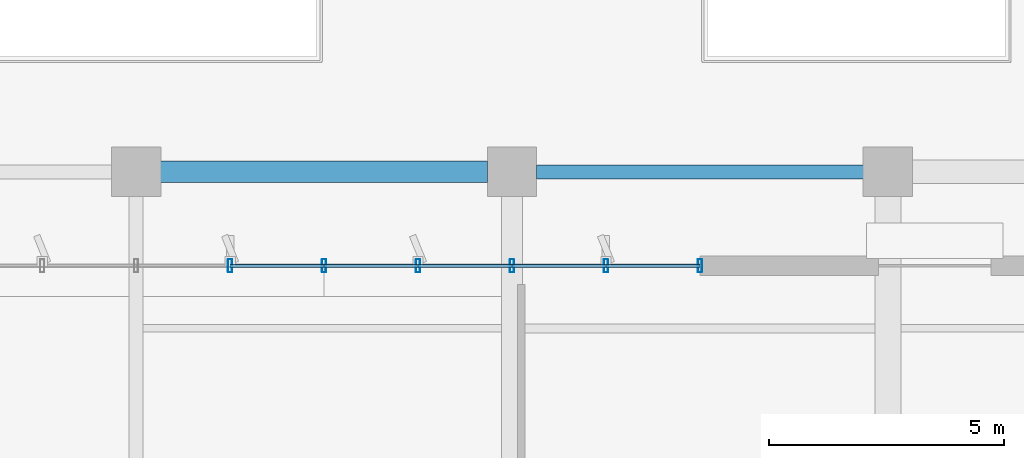
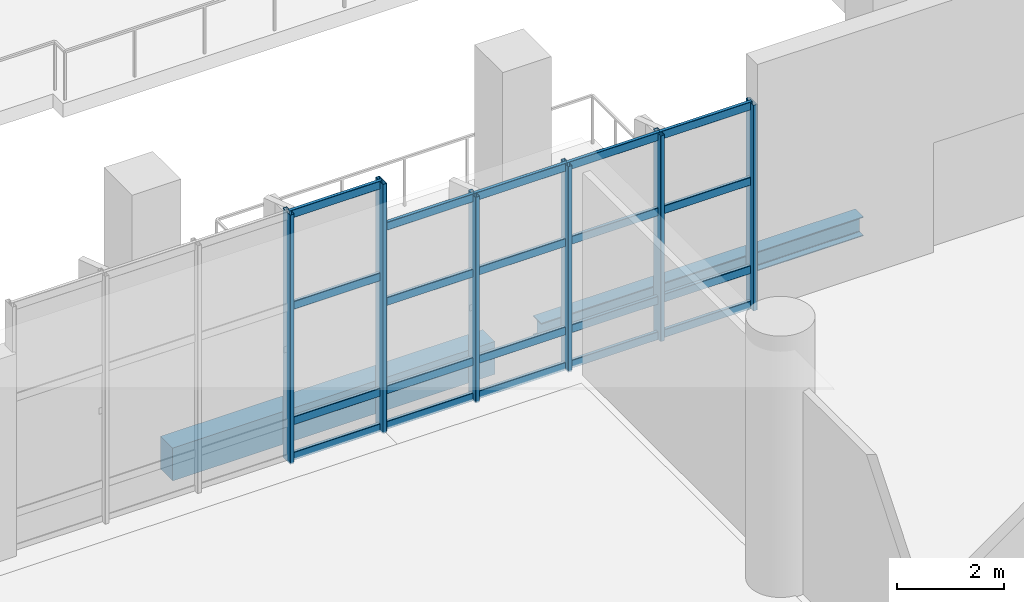
# One storey, part 72 of 163: 26 members, 2 beams, 2 elements without a shape of their own.
"""IFC4 building model written with IfcOpenShell, lengths in metres."""

from ifc_helpers import new_model, si_unit, direction, frame, origin, origin_2d, place, context, subcontext, project, spatial, rectangle, hollow_rectangle, i_section, extrude, material, layer, layer_set, material_profile, profile_set, type_object, element, aggregate, save


model = new_model("IFC4")

# Units and contexts
model_context = context("Model", 3, precision=1e-05, world=origin(), true_north=direction((0.0, 1.0)))
body_context = subcontext(model_context, "Body", "Model", "MODEL_VIEW")
ifc_project = project(units=[si_unit("LENGTHUNIT", "METRE"), si_unit("AREAUNIT", "SQUARE_METRE"), si_unit("VOLUMEUNIT", "CUBIC_METRE"), si_unit("PLANEANGLEUNIT", "RADIAN"), si_unit("MASSUNIT", "GRAM", prefix="KILO")], contexts=[model_context])

# Site, building, storey
site_placement = place(None, origin())
site = spatial("IfcSite", under=ifc_project, at=site_placement, CompositionType="ELEMENT")
building_placement = place(site_placement, origin())
building = spatial("IfcBuilding", under=site, at=building_placement, Name="Khorjan Park Terminus", CompositionType="ELEMENT")
storey_placement = place(building_placement, origin())
storey = spatial("IfcBuildingStorey", under=building, at=storey_placement, Name="L00", CompositionType="ELEMENT", Elevation=0.0)

# Beams
ifc_material_1 = material(Name="Steel S355", Category="steel")
ifc_material_profile_1 = material_profile(ifc_material_1, i_section(OverallWidth=0.3, OverallDepth=0.44, WebThickness=0.0115, FlangeThickness=0.021, FilletRadius=0.027, at=origin_2d()), Name="HEA 450")
ifc_profile_set_1 = profile_set([ifc_material_profile_1], Name="Steel S355")
beam_type_1 = type_object("IfcBeamType", Name="BM-HEA450", PredefinedType="BEAM", material=ifc_profile_set_1)
beam_1_placement = place(storey_placement, frame((96.52, 88.0, -0.54), z_axis=(1.0, 0.0, 0.0), x_axis=(0.0, 1.0, 0.0)))
element("IfcBeam", 1, at=beam_1_placement, inside=storey, type_object=beam_type_1, Name="Primary floor girder SB-A45 (L00)", PredefinedType="BEAM", context=body_context, shape_type="SweptSolid", body=[
    extrude(i_section(OverallWidth=0.3, OverallDepth=0.44, WebThickness=0.0115, FlangeThickness=0.021, FilletRadius=0.027, at=origin_2d()), origin(), (0.0, 0.0, 1.0), 6.96),
])
ifc_material_2 = material(Name="Concrete C40/50", Category="concrete")
ifc_material_profile_2 = material_profile(ifc_material_2, rectangle(XDim=0.45, YDim=0.75, at=origin_2d()), Name="RC 450x750")
ifc_profile_set_2 = profile_set([ifc_material_profile_2], Name="Concrete C40/50")
beam_type_2 = type_object("IfcBeamType", Name="BM-RC450x750", PredefinedType="BEAM", material=ifc_profile_set_2)
beam_2_placement = place(storey_placement, frame((88.52, 88.0, -0.695), z_axis=(1.0, 0.0, 0.0), x_axis=(0.0, 1.0, 0.0)))
element("IfcBeam", 2, at=beam_2_placement, inside=storey, type_object=beam_type_2, Name="Primary floor girder GB-75 (L00)", PredefinedType="BEAM", context=body_context, shape_type="SweptSolid", body=[
    extrude(rectangle(XDim=0.45, YDim=0.75, at=origin_2d()), origin(), (0.0, 0.0, 1.0), 6.96),
])

# Curtain wall, members
ifc_material_3 = material(Name="Anodized Bronze Aluminium", Category="aluminium")
ifc_layer = layer(ifc_material_3, 0.22)
ifc_layer_set = layer_set([ifc_layer], Name="Anodized Bronze Aluminium")
curtain_wall_type = type_object("IfcCurtainWallType", Name="CW-CONC-A", PredefinedType="NOTDEFINED", material=ifc_layer_set)
curtain_wall_1_placement = place(storey_placement, origin())
curtain_wall_1 = element("IfcCurtainWall", 3, at=curtain_wall_1_placement, inside=storey, type_object=curtain_wall_type, Name="Unitized curtain wall CW-A (CW-V2-N-L00-04)", PredefinedType="NOTDEFINED")
ifc_material_profile_3 = material_profile(ifc_material_3, hollow_rectangle(XDim=0.09, YDim=0.28, WallThickness=0.006, InnerFilletRadius=0.006, OuterFilletRadius=0.012, at=origin_2d()), Name="ALM 90x280x6")
ifc_profile_set_3 = profile_set([ifc_material_profile_3], Name="Anodized Bronze Aluminium")
member_type_1 = type_object("IfcMemberType", Name="ML-ALM-280", PredefinedType="MULLION", material=ifc_profile_set_3)
member_1_placement = place(storey_placement, frame((92.0, 86.0, -0.035), z_axis=(0.0, 0.0, 1.0), x_axis=(-1.0, 0.0, 0.0)))
member_1 = element("IfcMember", 4, at=member_1_placement, type_object=member_type_1, Name="Curtain-wall mullion ML-28 (CW-V2-N-L00-04-0)", PredefinedType="MULLION", context=body_context, shape_type="SweptSolid", body=[
    extrude(hollow_rectangle(XDim=0.09, YDim=0.28, WallThickness=0.006, InnerFilletRadius=0.006, OuterFilletRadius=0.012, at=origin_2d()), origin(), (0.0, 0.0, 1.0), 5.69),
])
member_2_placement = place(storey_placement, frame((90.0, 86.0, -0.035), z_axis=(0.0, 0.0, 1.0), x_axis=(-1.0, 0.0, 0.0)))
member_2 = element("IfcMember", 5, at=member_2_placement, type_object=member_type_1, Name="Curtain-wall mullion ML-28 (CW-V2-N-L00-04-1)", PredefinedType="MULLION", context=body_context, shape_type="SweptSolid", body=[
    extrude(hollow_rectangle(XDim=0.09, YDim=0.28, WallThickness=0.006, InnerFilletRadius=0.006, OuterFilletRadius=0.012, at=origin_2d()), origin(), (0.0, 0.0, 1.0), 5.69),
])

curtain_wall_2_placement = place(storey_placement, origin())
curtain_wall_2 = element("IfcCurtainWall", 6, at=curtain_wall_2_placement, inside=storey, type_object=curtain_wall_type, Name="Unitized curtain wall CW-A (CW-V2-N-L00-05)", PredefinedType="NOTDEFINED")
member_3_placement = place(storey_placement, frame((100.0, 86.0, -0.035), z_axis=(0.0, 0.0, 1.0), x_axis=(-1.0, 0.0, 0.0)))
member_3 = element("IfcMember", 7, at=member_3_placement, type_object=member_type_1, Name="Curtain-wall mullion ML-28 (CW-V2-N-L00-05-0)", PredefinedType="MULLION", context=body_context, shape_type="SweptSolid", body=[
    extrude(hollow_rectangle(XDim=0.09, YDim=0.28, WallThickness=0.006, InnerFilletRadius=0.006, OuterFilletRadius=0.012, at=origin_2d()), origin(), (0.0, 0.0, 1.0), 4.695),
])
member_4_placement = place(storey_placement, frame((98.0, 86.0, -0.035), z_axis=(0.0, 0.0, 1.0), x_axis=(-1.0, 0.0, 0.0)))
member_4 = element("IfcMember", 8, at=member_4_placement, type_object=member_type_1, Name="Curtain-wall mullion ML-28 (CW-V2-N-L00-05-1)", PredefinedType="MULLION", context=body_context, shape_type="SweptSolid", body=[
    extrude(hollow_rectangle(XDim=0.09, YDim=0.28, WallThickness=0.006, InnerFilletRadius=0.006, OuterFilletRadius=0.012, at=origin_2d()), origin(), (0.0, 0.0, 1.0), 4.695),
])
member_5_placement = place(storey_placement, frame((96.0, 86.0, -0.035), z_axis=(0.0, 0.0, 1.0), x_axis=(-1.0, 0.0, 0.0)))
member_5 = element("IfcMember", 9, at=member_5_placement, type_object=member_type_1, Name="Curtain-wall mullion ML-28 (CW-V2-N-L00-05-2)", PredefinedType="MULLION", context=body_context, shape_type="SweptSolid", body=[
    extrude(hollow_rectangle(XDim=0.09, YDim=0.28, WallThickness=0.006, InnerFilletRadius=0.006, OuterFilletRadius=0.012, at=origin_2d()), origin(), (0.0, 0.0, 1.0), 4.695),
])
member_6_placement = place(storey_placement, frame((94.0, 86.0, -0.035), z_axis=(0.0, 0.0, 1.0), x_axis=(-1.0, 0.0, 0.0)))
member_6 = element("IfcMember", 10, at=member_6_placement, type_object=member_type_1, Name="Curtain-wall mullion ML-28 (CW-V2-N-L00-05-3)", PredefinedType="MULLION", context=body_context, shape_type="SweptSolid", body=[
    extrude(hollow_rectangle(XDim=0.09, YDim=0.28, WallThickness=0.006, InnerFilletRadius=0.006, OuterFilletRadius=0.012, at=origin_2d()), origin(), (0.0, 0.0, 1.0), 4.695),
])

# Member
ifc_material_profile_4 = material_profile(ifc_material_3, hollow_rectangle(XDim=0.075, YDim=0.185, WallThickness=0.005, InnerFilletRadius=0.005, OuterFilletRadius=0.01, at=origin_2d()), Name="ALT 75x185x5")
ifc_profile_set_4 = profile_set([ifc_material_profile_4], Name="Anodized Bronze Aluminium")
member_type_2 = type_object("IfcMemberType", Name="TR-ALT-185", PredefinedType="USERDEFINED", material=ifc_profile_set_4)
member_7_placement = place(storey_placement, frame((92.0, 86.0, 0.04), z_axis=(-1.0, 0.0, 0.0), x_axis=(0.0, -1.0, 0.0)))
member_7 = element("IfcMember", 11, at=member_7_placement, type_object=member_type_2, Name="Curtain-wall transom TR-18 (CW-V2-N-L00-04-0-1)", ObjectType="TRANSOM", PredefinedType="USERDEFINED", context=body_context, shape_type="SweptSolid", body=[
    extrude(hollow_rectangle(XDim=0.075, YDim=0.185, WallThickness=0.005, InnerFilletRadius=0.005, OuterFilletRadius=0.01, at=origin_2d()), origin(), (0.0, 0.0, 1.0), 2.0),
])

member_8_placement = place(storey_placement, frame((92.0, 86.0, 0.85), z_axis=(-1.0, 0.0, 0.0), x_axis=(0.0, -1.0, 0.0)))
member_8 = element("IfcMember", 12, at=member_8_placement, type_object=member_type_2, Name="Curtain-wall transom TR-18 (CW-V2-N-L00-04-0-2)", ObjectType="TRANSOM", PredefinedType="USERDEFINED", context=body_context, shape_type="SweptSolid", body=[
    extrude(hollow_rectangle(XDim=0.075, YDim=0.185, WallThickness=0.005, InnerFilletRadius=0.005, OuterFilletRadius=0.01, at=origin_2d()), origin(), (0.0, 0.0, 1.0), 2.0),
])

member_9_placement = place(storey_placement, frame((92.0, 86.0, 3.4844), z_axis=(-1.0, 0.0, 0.0), x_axis=(0.0, -1.0, 0.0)))
member_9 = element("IfcMember", 13, at=member_9_placement, type_object=member_type_2, Name="Curtain-wall transom TR-18 (CW-V2-N-L00-04-0-3)", ObjectType="TRANSOM", PredefinedType="USERDEFINED", context=body_context, shape_type="SweptSolid", body=[
    extrude(hollow_rectangle(XDim=0.075, YDim=0.185, WallThickness=0.005, InnerFilletRadius=0.005, OuterFilletRadius=0.01, at=origin_2d()), origin(), (0.0, 0.0, 1.0), 2.0),
])

member_10_placement = place(storey_placement, frame((92.0, 86.0, 5.58), z_axis=(-1.0, 0.0, 0.0), x_axis=(0.0, -1.0, 0.0)))
member_10 = element("IfcMember", 14, at=member_10_placement, type_object=member_type_2, Name="Curtain-wall transom TR-18 (CW-V2-N-L00-04-0-4)", ObjectType="TRANSOM", PredefinedType="USERDEFINED", context=body_context, shape_type="SweptSolid", body=[
    extrude(hollow_rectangle(XDim=0.075, YDim=0.185, WallThickness=0.005, InnerFilletRadius=0.005, OuterFilletRadius=0.01, at=origin_2d()), origin(), (0.0, 0.0, 1.0), 2.0),
])

aggregate(curtain_wall_1, [member_1, member_2, member_7, member_8, member_9, member_10])

member_11_placement = place(storey_placement, frame((100.0, 86.0, 0.04), z_axis=(-1.0, 0.0, 0.0), x_axis=(0.0, -1.0, 0.0)))
member_11 = element("IfcMember", 15, at=member_11_placement, type_object=member_type_2, Name="Curtain-wall transom TR-18 (CW-V2-N-L00-05-0-1)", ObjectType="TRANSOM", PredefinedType="USERDEFINED", context=body_context, shape_type="SweptSolid", body=[
    extrude(hollow_rectangle(XDim=0.075, YDim=0.185, WallThickness=0.005, InnerFilletRadius=0.005, OuterFilletRadius=0.01, at=origin_2d()), origin(), (0.0, 0.0, 1.0), 2.0),
])

member_12_placement = place(storey_placement, frame((100.0, 86.0, 0.85), z_axis=(-1.0, 0.0, 0.0), x_axis=(0.0, -1.0, 0.0)))
member_12 = element("IfcMember", 16, at=member_12_placement, type_object=member_type_2, Name="Curtain-wall transom TR-18 (CW-V2-N-L00-05-0-2)", ObjectType="TRANSOM", PredefinedType="USERDEFINED", context=body_context, shape_type="SweptSolid", body=[
    extrude(hollow_rectangle(XDim=0.075, YDim=0.185, WallThickness=0.005, InnerFilletRadius=0.005, OuterFilletRadius=0.01, at=origin_2d()), origin(), (0.0, 0.0, 1.0), 2.0),
])

member_13_placement = place(storey_placement, frame((100.0, 86.0, 2.8675), z_axis=(-1.0, 0.0, 0.0), x_axis=(0.0, -1.0, 0.0)))
member_13 = element("IfcMember", 17, at=member_13_placement, type_object=member_type_2, Name="Curtain-wall transom TR-18 (CW-V2-N-L00-05-0-3)", ObjectType="TRANSOM", PredefinedType="USERDEFINED", context=body_context, shape_type="SweptSolid", body=[
    extrude(hollow_rectangle(XDim=0.075, YDim=0.185, WallThickness=0.005, InnerFilletRadius=0.005, OuterFilletRadius=0.01, at=origin_2d()), origin(), (0.0, 0.0, 1.0), 2.0),
])

member_14_placement = place(storey_placement, frame((100.0, 86.0, 4.585), z_axis=(-1.0, 0.0, 0.0), x_axis=(0.0, -1.0, 0.0)))
member_14 = element("IfcMember", 18, at=member_14_placement, type_object=member_type_2, Name="Curtain-wall transom TR-18 (CW-V2-N-L00-05-0-4)", ObjectType="TRANSOM", PredefinedType="USERDEFINED", context=body_context, shape_type="SweptSolid", body=[
    extrude(hollow_rectangle(XDim=0.075, YDim=0.185, WallThickness=0.005, InnerFilletRadius=0.005, OuterFilletRadius=0.01, at=origin_2d()), origin(), (0.0, 0.0, 1.0), 2.0),
])

member_15_placement = place(storey_placement, frame((98.0, 86.0, 0.04), z_axis=(-1.0, 0.0, 0.0), x_axis=(0.0, -1.0, 0.0)))
member_15 = element("IfcMember", 19, at=member_15_placement, type_object=member_type_2, Name="Curtain-wall transom TR-18 (CW-V2-N-L00-05-1-1)", ObjectType="TRANSOM", PredefinedType="USERDEFINED", context=body_context, shape_type="SweptSolid", body=[
    extrude(hollow_rectangle(XDim=0.075, YDim=0.185, WallThickness=0.005, InnerFilletRadius=0.005, OuterFilletRadius=0.01, at=origin_2d()), origin(), (0.0, 0.0, 1.0), 2.0),
])

member_16_placement = place(storey_placement, frame((98.0, 86.0, 0.85), z_axis=(-1.0, 0.0, 0.0), x_axis=(0.0, -1.0, 0.0)))
member_16 = element("IfcMember", 20, at=member_16_placement, type_object=member_type_2, Name="Curtain-wall transom TR-18 (CW-V2-N-L00-05-1-2)", ObjectType="TRANSOM", PredefinedType="USERDEFINED", context=body_context, shape_type="SweptSolid", body=[
    extrude(hollow_rectangle(XDim=0.075, YDim=0.185, WallThickness=0.005, InnerFilletRadius=0.005, OuterFilletRadius=0.01, at=origin_2d()), origin(), (0.0, 0.0, 1.0), 2.0),
])

member_17_placement = place(storey_placement, frame((98.0, 86.0, 2.8675), z_axis=(-1.0, 0.0, 0.0), x_axis=(0.0, -1.0, 0.0)))
member_17 = element("IfcMember", 21, at=member_17_placement, type_object=member_type_2, Name="Curtain-wall transom TR-18 (CW-V2-N-L00-05-1-3)", ObjectType="TRANSOM", PredefinedType="USERDEFINED", context=body_context, shape_type="SweptSolid", body=[
    extrude(hollow_rectangle(XDim=0.075, YDim=0.185, WallThickness=0.005, InnerFilletRadius=0.005, OuterFilletRadius=0.01, at=origin_2d()), origin(), (0.0, 0.0, 1.0), 2.0),
])

member_18_placement = place(storey_placement, frame((98.0, 86.0, 4.585), z_axis=(-1.0, 0.0, 0.0), x_axis=(0.0, -1.0, 0.0)))
member_18 = element("IfcMember", 22, at=member_18_placement, type_object=member_type_2, Name="Curtain-wall transom TR-18 (CW-V2-N-L00-05-1-4)", ObjectType="TRANSOM", PredefinedType="USERDEFINED", context=body_context, shape_type="SweptSolid", body=[
    extrude(hollow_rectangle(XDim=0.075, YDim=0.185, WallThickness=0.005, InnerFilletRadius=0.005, OuterFilletRadius=0.01, at=origin_2d()), origin(), (0.0, 0.0, 1.0), 2.0),
])

member_19_placement = place(storey_placement, frame((96.0, 86.0, 0.04), z_axis=(-1.0, 0.0, 0.0), x_axis=(0.0, -1.0, 0.0)))
member_19 = element("IfcMember", 23, at=member_19_placement, type_object=member_type_2, Name="Curtain-wall transom TR-18 (CW-V2-N-L00-05-2-1)", ObjectType="TRANSOM", PredefinedType="USERDEFINED", context=body_context, shape_type="SweptSolid", body=[
    extrude(hollow_rectangle(XDim=0.075, YDim=0.185, WallThickness=0.005, InnerFilletRadius=0.005, OuterFilletRadius=0.01, at=origin_2d()), origin(), (0.0, 0.0, 1.0), 2.0),
])

member_20_placement = place(storey_placement, frame((96.0, 86.0, 0.85), z_axis=(-1.0, 0.0, 0.0), x_axis=(0.0, -1.0, 0.0)))
member_20 = element("IfcMember", 24, at=member_20_placement, type_object=member_type_2, Name="Curtain-wall transom TR-18 (CW-V2-N-L00-05-2-2)", ObjectType="TRANSOM", PredefinedType="USERDEFINED", context=body_context, shape_type="SweptSolid", body=[
    extrude(hollow_rectangle(XDim=0.075, YDim=0.185, WallThickness=0.005, InnerFilletRadius=0.005, OuterFilletRadius=0.01, at=origin_2d()), origin(), (0.0, 0.0, 1.0), 2.0),
])

member_21_placement = place(storey_placement, frame((96.0, 86.0, 2.8675), z_axis=(-1.0, 0.0, 0.0), x_axis=(0.0, -1.0, 0.0)))
member_21 = element("IfcMember", 25, at=member_21_placement, type_object=member_type_2, Name="Curtain-wall transom TR-18 (CW-V2-N-L00-05-2-3)", ObjectType="TRANSOM", PredefinedType="USERDEFINED", context=body_context, shape_type="SweptSolid", body=[
    extrude(hollow_rectangle(XDim=0.075, YDim=0.185, WallThickness=0.005, InnerFilletRadius=0.005, OuterFilletRadius=0.01, at=origin_2d()), origin(), (0.0, 0.0, 1.0), 2.0),
])

member_22_placement = place(storey_placement, frame((96.0, 86.0, 4.585), z_axis=(-1.0, 0.0, 0.0), x_axis=(0.0, -1.0, 0.0)))
member_22 = element("IfcMember", 26, at=member_22_placement, type_object=member_type_2, Name="Curtain-wall transom TR-18 (CW-V2-N-L00-05-2-4)", ObjectType="TRANSOM", PredefinedType="USERDEFINED", context=body_context, shape_type="SweptSolid", body=[
    extrude(hollow_rectangle(XDim=0.075, YDim=0.185, WallThickness=0.005, InnerFilletRadius=0.005, OuterFilletRadius=0.01, at=origin_2d()), origin(), (0.0, 0.0, 1.0), 2.0),
])

member_23_placement = place(storey_placement, frame((94.0, 86.0, 0.04), z_axis=(-1.0, 0.0, 0.0), x_axis=(0.0, -1.0, 0.0)))
member_23 = element("IfcMember", 27, at=member_23_placement, type_object=member_type_2, Name="Curtain-wall transom TR-18 (CW-V2-N-L00-05-3-1)", ObjectType="TRANSOM", PredefinedType="USERDEFINED", context=body_context, shape_type="SweptSolid", body=[
    extrude(hollow_rectangle(XDim=0.075, YDim=0.185, WallThickness=0.005, InnerFilletRadius=0.005, OuterFilletRadius=0.01, at=origin_2d()), origin(), (0.0, 0.0, 1.0), 2.0),
])

member_24_placement = place(storey_placement, frame((94.0, 86.0, 0.85), z_axis=(-1.0, 0.0, 0.0), x_axis=(0.0, -1.0, 0.0)))
member_24 = element("IfcMember", 28, at=member_24_placement, type_object=member_type_2, Name="Curtain-wall transom TR-18 (CW-V2-N-L00-05-3-2)", ObjectType="TRANSOM", PredefinedType="USERDEFINED", context=body_context, shape_type="SweptSolid", body=[
    extrude(hollow_rectangle(XDim=0.075, YDim=0.185, WallThickness=0.005, InnerFilletRadius=0.005, OuterFilletRadius=0.01, at=origin_2d()), origin(), (0.0, 0.0, 1.0), 2.0),
])

member_25_placement = place(storey_placement, frame((94.0, 86.0, 2.8675), z_axis=(-1.0, 0.0, 0.0), x_axis=(0.0, -1.0, 0.0)))
member_25 = element("IfcMember", 29, at=member_25_placement, type_object=member_type_2, Name="Curtain-wall transom TR-18 (CW-V2-N-L00-05-3-3)", ObjectType="TRANSOM", PredefinedType="USERDEFINED", context=body_context, shape_type="SweptSolid", body=[
    extrude(hollow_rectangle(XDim=0.075, YDim=0.185, WallThickness=0.005, InnerFilletRadius=0.005, OuterFilletRadius=0.01, at=origin_2d()), origin(), (0.0, 0.0, 1.0), 2.0),
])

member_26_placement = place(storey_placement, frame((94.0, 86.0, 4.585), z_axis=(-1.0, 0.0, 0.0), x_axis=(0.0, -1.0, 0.0)))
member_26 = element("IfcMember", 30, at=member_26_placement, type_object=member_type_2, Name="Curtain-wall transom TR-18 (CW-V2-N-L00-05-3-4)", ObjectType="TRANSOM", PredefinedType="USERDEFINED", context=body_context, shape_type="SweptSolid", body=[
    extrude(hollow_rectangle(XDim=0.075, YDim=0.185, WallThickness=0.005, InnerFilletRadius=0.005, OuterFilletRadius=0.01, at=origin_2d()), origin(), (0.0, 0.0, 1.0), 2.0),
])

aggregate(curtain_wall_2, [member_3, member_4, member_5, member_6, member_11, member_12, member_13, member_14, member_15, member_16, member_17, member_18, member_19, member_20, member_21, member_22, member_23, member_24, member_25, member_26])

save(model, "model.ifc")
